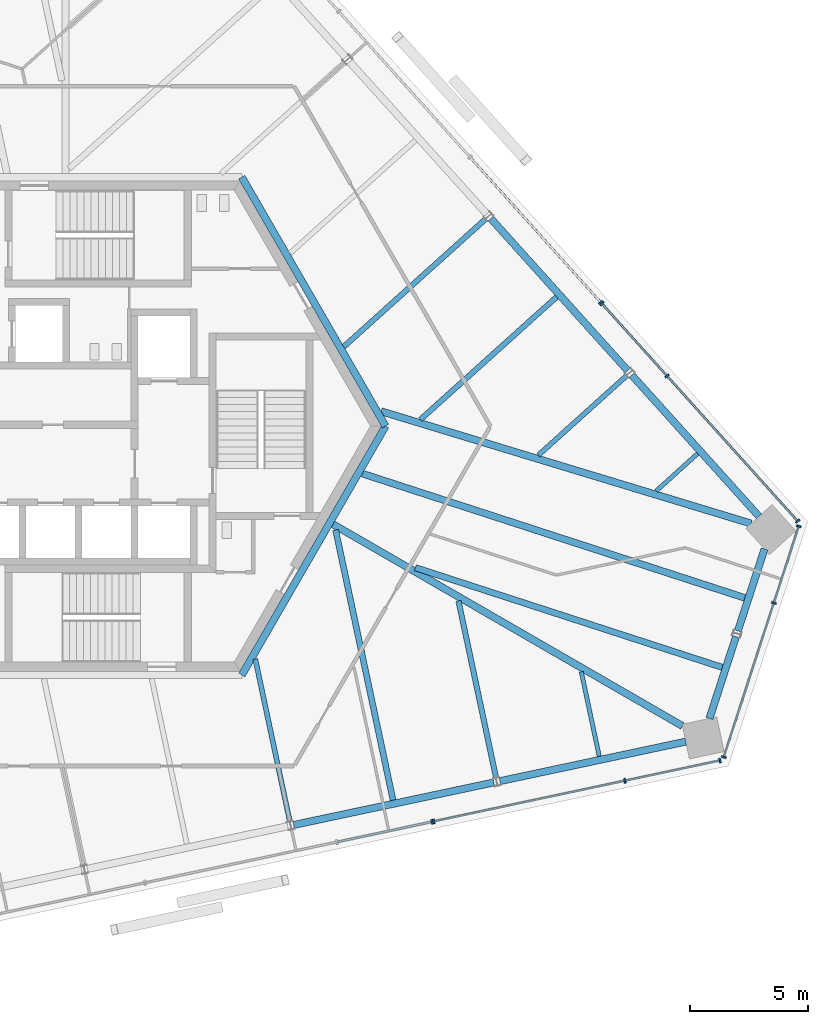
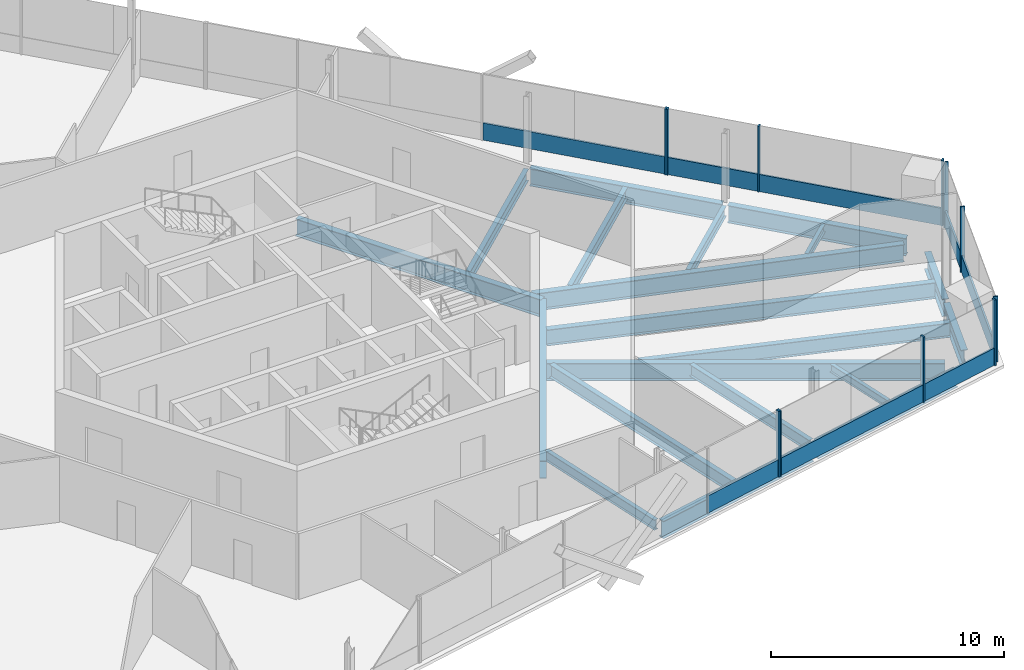
# One storey, part 6 of 15: 20 beams, 19 members, 5 elements without a shape of their own.
"""IFC4 building model written with IfcOpenShell, lengths in metres."""

from ifc_helpers import new_model, si_unit, direction, frame, origin, origin_2d, place, context, subcontext, project, spatial, rectangle, i_section, extrude, source, transform, mapped, material, material_profile, profile_set, type_object, element, aggregate, save


model = new_model("IFC4")

# Units and contexts
model_context = context("Model", 3, precision=1e-05, world=origin(), true_north=direction((0.0, 1.0)))
body_context = subcontext(model_context, "Body", "Model", "MODEL_VIEW")
ifc_project = project(units=[si_unit("LENGTHUNIT", "METRE"), si_unit("AREAUNIT", "SQUARE_METRE"), si_unit("VOLUMEUNIT", "CUBIC_METRE"), si_unit("PLANEANGLEUNIT", "RADIAN"), si_unit("MASSUNIT", "GRAM", prefix="KILO")], contexts=[model_context])

# Site, building, storey
site_placement = place(None, origin())
site = spatial("IfcSite", under=ifc_project, at=site_placement, CompositionType="ELEMENT")
building_placement = place(site_placement, origin())
building = spatial("IfcBuilding", under=site, at=building_placement, Name="Triune Harvest Tower", CompositionType="ELEMENT")
storey_placement = place(building_placement, frame((0.0, 0.0, 277.5)))
storey = spatial("IfcBuildingStorey", under=building, at=storey_placement, Name="L73", CompositionType="ELEMENT", Elevation=277.5)

# Beams
ifc_material_1 = material(Name="Steel ASTM A992 Gr 50", Category="steel")
ifc_material_profile_1 = material_profile(ifc_material_1, i_section(OverallWidth=0.3046875, OverallDepth=0.914306640625, WebThickness=0.0166015625, FlangeThickness=0.02587890625, at=origin_2d()), Name="W36x160")
ifc_profile_set_1 = profile_set([ifc_material_profile_1], Name="Steel ASTM A992 Gr 50")
beam_type_1 = type_object("IfcBeamType", Name="CG-1 Core ring girder W36x160", PredefinedType="BEAM", material=ifc_profile_set_1)
shared_shape_1 = source(origin(), body_context, "Body", "SweptSolid", [
    extrude(i_section(OverallWidth=0.3046875, OverallDepth=0.914306640625, WebThickness=0.0166015625, FlangeThickness=0.02587890625, at=origin_2d()), origin(), (0.0, 0.0, 1.0), 12.176025390625),
])
for number, where, z_axis, x_axis, name in (
    (1, (12.176025390625, 0.0, -0.6171875), (-0.5000099932, 0.866019634131, 0.0), (-0.866019634131, -0.5000099932, 0.0), "beam/L73/CG1"),
    (2, (6.087890625, -10.544677734375, -0.6171875), (0.5000099932, 0.866019634131, 0.0), (-0.866019634131, 0.5000099932, 0.0), "beam/L73/CG6"),
):
    element("IfcBeam", number, at=place(storey_placement, frame(where, z_axis=z_axis, x_axis=x_axis)), inside=storey, type_object=beam_type_1, Name=name, PredefinedType="BEAM", context=body_context, shape_type="MappedRepresentation", body=[
        mapped(shared_shape_1, transform((0.0, 0.0, 0.0), scale=1.0)),
    ])
ifc_material_2 = material(Name="Steel ASTM A992 Gr 50", Category="steel")
ifc_material_profile_2 = material_profile(ifc_material_2, i_section(OverallWidth=0.3046875, OverallDepth=0.914306640625, WebThickness=0.0166015625, FlangeThickness=0.02587890625, at=origin_2d()), Name="W36x160")
ifc_profile_set_2 = profile_set([ifc_material_profile_2], Name="Steel ASTM A992 Gr 50")
beam_type_2 = type_object("IfcBeamType", Name="SB-1 Spandrel beam W36x160", PredefinedType="SPANDREL", material=ifc_profile_set_2)
shared_shape_2 = source(origin(), body_context, "Body", "SweptSolid", [
    extrude(i_section(OverallWidth=0.3046875, OverallDepth=0.914306640625, WebThickness=0.0166015625, FlangeThickness=0.02587890625, at=origin_2d()), origin(), (0.0, 0.0, 1.0), 8.0498046875),
])
beam_1_placement = place(storey_placement, frame((27.991455078125, -3.82177734375, -0.6171875), z_axis=(-0.669137301084, 0.743138797465, 0.0), x_axis=(-0.743138797465, -0.669137301084, 0.0)))
element("IfcBeam", 3, at=beam_1_placement, inside=storey, type_object=beam_type_2, Name="beam/L73/SB1", PredefinedType="SPANDREL", context=body_context, shape_type="MappedRepresentation", body=[
    mapped(shared_shape_2, transform((0.0, 0.0, 0.0), scale=1.0)),
])
shared_shape_3 = source(origin(), body_context, "Body", "SweptSolid", [
    extrude(i_section(OverallWidth=0.3046875, OverallDepth=0.914306640625, WebThickness=0.0166015625, FlangeThickness=0.02587890625, at=origin_2d()), origin(), (0.0, 0.0, 1.0), 8.671630859375),
])
beam_2_placement = place(storey_placement, frame((22.433349609375, 2.350830078125, -0.6171875), z_axis=(-0.669114044563, 0.743159737452, 0.0), x_axis=(-0.743159737452, -0.669114044563, 0.0)))
element("IfcBeam", 4, at=beam_2_placement, inside=storey, type_object=beam_type_2, Name="beam/L73/SB2", PredefinedType="SPANDREL", context=body_context, shape_type="MappedRepresentation", body=[
    mapped(shared_shape_3, transform((0.0, 0.0, 0.0), scale=1.0)),
])
shared_shape_4 = source(origin(), body_context, "Body", "SweptSolid", [
    extrude(i_section(OverallWidth=0.3046875, OverallDepth=0.914306640625, WebThickness=0.0166015625, FlangeThickness=0.02587890625, at=origin_2d()), origin(), (0.0, 0.0, 1.0), 8.67138671875),
])
beam_3_placement = place(storey_placement, frame((8.28515625, -16.890869140625, -0.6171875), z_axis=(0.978145539793, 0.207921386546, 0.0), x_axis=(-0.207921386546, 0.978145539793, 0.0)))
element("IfcBeam", 5, at=beam_3_placement, inside=storey, type_object=beam_type_2, Name="beam/L73/SB18", PredefinedType="SPANDREL", context=body_context, shape_type="MappedRepresentation", body=[
    mapped(shared_shape_4, transform((0.0, 0.0, 0.0), scale=1.0)),
])
shared_shape_5 = source(origin(), body_context, "Body", "SweptSolid", [
    extrude(i_section(OverallWidth=0.3046875, OverallDepth=0.914306640625, WebThickness=0.0166015625, FlangeThickness=0.02587890625, at=origin_2d()), origin(), (0.0, 0.0, 1.0), 3.645751953125),
])
for number, where, z_axis, x_axis, name in (
    (6, (25.89306640625, -12.38134765625, -0.6171875), (0.309046702753, 0.951046862945, 0.0), (-0.951046862945, 0.309046702753, 0.0), "beam/L73/SB20"),
    (7, (27.09912109375, -8.670166015625, -0.6171875), (0.308986131058, 0.951066543841, 0.0), (-0.951066543841, 0.308986131058, 0.0), "beam/L73/SB21"),
):
    element("IfcBeam", number, at=place(storey_placement, frame(where, z_axis=z_axis, x_axis=x_axis)), inside=storey, type_object=beam_type_2, Name=name, PredefinedType="SPANDREL", context=body_context, shape_type="MappedRepresentation", body=[
        mapped(shared_shape_5, transform((0.0, 0.0, 0.0), scale=1.0)),
    ])
shared_shape_6 = source(origin(), body_context, "Body", "SweptSolid", [
    extrude(i_section(OverallWidth=0.3046875, OverallDepth=0.914306640625, WebThickness=0.0166015625, FlangeThickness=0.02587890625, at=origin_2d()), origin(), (0.0, 0.0, 1.0), 8.049560546875),
])
beam_4_placement = place(storey_placement, frame((17.01806640625, -15.034423828125, -0.6171875), z_axis=(0.978148597907, 0.207906999431, 0.0), x_axis=(-0.207906999431, 0.978148597907, 0.0)))
element("IfcBeam", 8, at=beam_4_placement, inside=storey, type_object=beam_type_2, Name="beam/L73/SB19", PredefinedType="SPANDREL", context=body_context, shape_type="MappedRepresentation", body=[
    mapped(shared_shape_6, transform((0.0, 0.0, 0.0), scale=1.0)),
])
ifc_material_3 = material(Name="Steel ASTM A992 Gr 50", Category="steel")
ifc_material_profile_3 = material_profile(ifc_material_3, i_section(OverallWidth=0.3046875, OverallDepth=0.914306640625, WebThickness=0.0166015625, FlangeThickness=0.02587890625, at=origin_2d()), Name="W36x160")
ifc_profile_set_3 = profile_set([ifc_material_profile_3], Name="Steel ASTM A992 Gr 50")
beam_type_3 = type_object("IfcBeamType", Name="HG-3 Hip girder W36x160", PredefinedType="BEAM", material=ifc_profile_set_3)
shared_shape_7 = source(origin(), body_context, "Body", "SweptSolid", [
    extrude(i_section(OverallWidth=0.3046875, OverallDepth=0.914306640625, WebThickness=0.0166015625, FlangeThickness=0.02587890625, at=origin_2d()), origin(), (0.0, 0.0, 1.0), 16.370361328125),
])
beam_5_placement = place(storey_placement, frame((27.65478515625, -4.124755859375, -0.6171875), z_axis=(-0.956924757428, 0.29033602708, 0.0), x_axis=(-0.29033602708, -0.956924757428, 0.0)))
element("IfcBeam", 9, at=beam_5_placement, inside=storey, type_object=beam_type_3, Name="beam/L73/HG1", PredefinedType="BEAM", context=body_context, shape_type="MappedRepresentation", body=[
    mapped(shared_shape_7, transform((0.0, 0.0, 0.0), scale=1.0)),
])
shared_shape_8 = source(origin(), body_context, "Body", "SweptSolid", [
    extrude(i_section(OverallWidth=0.3046875, OverallDepth=0.914306640625, WebThickness=0.0166015625, FlangeThickness=0.02587890625, at=origin_2d()), origin(), (0.0, 0.0, 1.0), 17.088623046875),
])
beam_6_placement = place(storey_placement, frame((24.75146484375, -12.700439453125, -0.6171875), z_axis=(-0.866020709961, 0.500008129852, 0.0), x_axis=(-0.500008129852, -0.866020709961, 0.0)))
element("IfcBeam", 10, at=beam_6_placement, inside=storey, type_object=beam_type_3, Name="beam/L73/HG8", PredefinedType="BEAM", context=body_context, shape_type="MappedRepresentation", body=[
    mapped(shared_shape_8, transform((0.0, 0.0, 0.0), scale=1.0)),
])
ifc_material_4 = material(Name="Steel ASTM A992 Gr 50", Category="steel")
ifc_material_profile_4 = material_profile(ifc_material_4, i_section(OverallWidth=0.180908203125, OverallDepth=0.41650390625, WebThickness=0.010986328125, FlangeThickness=0.01806640625, at=origin_2d()), Name="W16x57")
ifc_profile_set_4 = profile_set([ifc_material_profile_4], Name="Steel ASTM A992 Gr 50")
beam_type_4 = type_object("IfcBeamType", Name="JT-1 Floor joist W16x57", PredefinedType="JOIST", material=ifc_profile_set_4)
shared_shape_9 = source(origin(), body_context, "Body", "SweptSolid", [
    extrude(i_section(OverallWidth=0.180908203125, OverallDepth=0.41650390625, WebThickness=0.010986328125, FlangeThickness=0.01806640625, at=origin_2d()), origin(), (0.0, 0.0, 1.0), 2.364990234375),
])
beam_7_placement = place(storey_placement, frame((25.39306640625, -1.163818359375, -0.368408203125), z_axis=(-0.743196605909, -0.669073093888, 0.0), x_axis=(0.669073093888, -0.743196605909, 0.0)))
element("IfcBeam", 11, at=beam_7_placement, inside=storey, type_object=beam_type_4, Name="beam/L73/JT1", PredefinedType="JOIST", context=body_context, shape_type="MappedRepresentation", body=[
    mapped(shared_shape_9, transform((0.0, 0.0, 0.0), scale=1.0)),
])
ifc_material_5 = material(Name="Steel ASTM A992 Gr 50", Category="steel")
ifc_material_profile_5 = material_profile(ifc_material_5, i_section(OverallWidth=0.2099609375, OverallDepth=0.535888671875, WebThickness=0.010986328125, FlangeThickness=0.017333984375, at=origin_2d()), Name="W21x68")
ifc_profile_set_5 = profile_set([ifc_material_profile_5], Name="Steel ASTM A992 Gr 50")
beam_type_5 = type_object("IfcBeamType", Name="JT-2 Floor joist W21x68", PredefinedType="JOIST", material=ifc_profile_set_5)
shared_shape_10 = source(origin(), body_context, "Body", "SweptSolid", [
    extrude(i_section(OverallWidth=0.2099609375, OverallDepth=0.535888671875, WebThickness=0.010986328125, FlangeThickness=0.017333984375, at=origin_2d()), origin(), (0.0, 0.0, 1.0), 5.031982421875),
])
beam_8_placement = place(storey_placement, frame((22.38525390625, 2.135009765625, -0.427978515625), z_axis=(-0.743132491089, -0.669144304831, 0.0), x_axis=(0.669144304831, -0.743132491089, 0.0)))
element("IfcBeam", 12, at=beam_8_placement, inside=storey, type_object=beam_type_5, Name="beam/L73/JT2", PredefinedType="JOIST", context=body_context, shape_type="MappedRepresentation", body=[
    mapped(shared_shape_10, transform((0.0, 0.0, 0.0), scale=1.0)),
])
ifc_material_6 = material(Name="Steel ASTM A992 Gr 50", Category="steel")
ifc_material_profile_6 = material_profile(ifc_material_6, i_section(OverallWidth=0.22900390625, OverallDepth=0.612060546875, WebThickness=0.011962890625, FlangeThickness=0.01953125, at=origin_2d()), Name="W24x84")
ifc_profile_set_6 = profile_set([ifc_material_profile_6], Name="Steel ASTM A992 Gr 50")
beam_type_6 = type_object("IfcBeamType", Name="JT-3 Floor joist W24x84", PredefinedType="JOIST", material=ifc_profile_set_6)
shared_shape_11 = source(origin(), body_context, "Body", "SweptSolid", [
    extrude(i_section(OverallWidth=0.22900390625, OverallDepth=0.612060546875, WebThickness=0.011962890625, FlangeThickness=0.01953125, at=origin_2d()), origin(), (0.0, 0.0, 1.0), 7.755126953125),
])
beam_9_placement = place(storey_placement, frame((19.4189453125, 5.470947265625, -0.466064453125), z_axis=(-0.743143852868, -0.66913168655, 0.0), x_axis=(0.66913168655, -0.743143852868, 0.0)))
element("IfcBeam", 13, at=beam_9_placement, inside=storey, type_object=beam_type_6, Name="beam/L73/JT3", PredefinedType="JOIST", context=body_context, shape_type="MappedRepresentation", body=[
    mapped(shared_shape_11, transform((0.0, 0.0, 0.0), scale=1.0)),
])
shared_shape_12 = source(origin(), body_context, "Body", "SweptSolid", [
    extrude(i_section(OverallWidth=0.22900390625, OverallDepth=0.612060546875, WebThickness=0.011962890625, FlangeThickness=0.01953125, at=origin_2d()), origin(), (0.0, 0.0, 1.0), 8.076904296875),
])
beam_10_placement = place(storey_placement, frame((16.4111328125, 8.769775390625, -0.466064453125), z_axis=(-0.743136309392, -0.669140064308, 0.0), x_axis=(0.669140064308, -0.743136309392, 0.0)))
element("IfcBeam", 14, at=beam_10_placement, inside=storey, type_object=beam_type_6, Name="beam/L73/JT4", PredefinedType="JOIST", context=body_context, shape_type="MappedRepresentation", body=[
    mapped(shared_shape_12, transform((0.0, 0.0, 0.0), scale=1.0)),
])
shared_shape_13 = source(origin(), body_context, "Body", "SweptSolid", [
    extrude(i_section(OverallWidth=0.2099609375, OverallDepth=0.535888671875, WebThickness=0.010986328125, FlangeThickness=0.017333984375, at=origin_2d()), origin(), (0.0, 0.0, 1.0), 7.035400390625),
])
beam_11_placement = place(storey_placement, frame((8.122314453125, -16.7412109375, -0.427978515625), z_axis=(-0.207933876112, 0.978142884841, 0.0), x_axis=(-0.978142884841, -0.207933876112, 0.0)))
element("IfcBeam", 15, at=beam_11_placement, inside=storey, type_object=beam_type_5, Name="beam/L73/JT28", PredefinedType="JOIST", context=body_context, shape_type="MappedRepresentation", body=[
    mapped(shared_shape_13, transform((0.0, 0.0, 0.0), scale=1.0)),
])
ifc_material_7 = material(Name="Steel ASTM A992 Gr 50", Category="steel")
ifc_material_profile_7 = material_profile(ifc_material_7, i_section(OverallWidth=0.253662109375, OverallDepth=0.683349609375, WebThickness=0.012451171875, FlangeThickness=0.01904296875, at=origin_2d()), Name="W27x94")
ifc_profile_set_7 = profile_set([ifc_material_profile_7], Name="Steel ASTM A992 Gr 50")
beam_type_7 = type_object("IfcBeamType", Name="JT-4 Floor joist W27x94", PredefinedType="JOIST", material=ifc_profile_set_7)
shared_shape_14 = source(origin(), body_context, "Body", "SweptSolid", [
    extrude(i_section(OverallWidth=0.253662109375, OverallDepth=0.683349609375, WebThickness=0.012451171875, FlangeThickness=0.01904296875, at=origin_2d()), origin(), (0.0, 0.0, 1.0), 11.70068359375),
])
beam_12_placement = place(storey_placement, frame((12.494384765625, -15.84033203125, -0.501708984375), z_axis=(-0.207902925765, 0.978149463762, 0.0), x_axis=(-0.978149463762, -0.207902925765, 0.0)))
element("IfcBeam", 16, at=beam_12_placement, inside=storey, type_object=beam_type_7, Name="beam/L73/JT29", PredefinedType="JOIST", context=body_context, shape_type="MappedRepresentation", body=[
    mapped(shared_shape_14, transform((0.0, 0.0, 0.0), scale=1.0)),
])
shared_shape_15 = source(origin(), body_context, "Body", "SweptSolid", [
    extrude(i_section(OverallWidth=0.22900390625, OverallDepth=0.612060546875, WebThickness=0.011962890625, FlangeThickness=0.01953125, at=origin_2d()), origin(), (0.0, 0.0, 1.0), 7.6533203125),
])
beam_13_placement = place(storey_placement, frame((16.85498046875, -14.884765625, -0.466064453125), z_axis=(-0.207892711211, 0.978151634781, 0.0), x_axis=(-0.978151634781, -0.207892711211, 0.0)))
element("IfcBeam", 17, at=beam_13_placement, inside=storey, type_object=beam_type_6, Name="beam/L73/JT30", PredefinedType="JOIST", context=body_context, shape_type="MappedRepresentation", body=[
    mapped(shared_shape_15, transform((0.0, 0.0, 0.0), scale=1.0)),
])
shared_shape_16 = source(origin(), body_context, "Body", "SweptSolid", [
    extrude(i_section(OverallWidth=0.180908203125, OverallDepth=0.41650390625, WebThickness=0.010986328125, FlangeThickness=0.01806640625, at=origin_2d()), origin(), (0.0, 0.0, 1.0), 3.661865234375),
])
beam_14_placement = place(storey_placement, frame((21.227294921875, -13.98388671875, -0.368408203125), z_axis=(-0.20788506993, 0.9781532588, 0.0), x_axis=(-0.9781532588, -0.20788506993, 0.0)))
element("IfcBeam", 18, at=beam_14_placement, inside=storey, type_object=beam_type_4, Name="beam/L73/JT31", PredefinedType="JOIST", context=body_context, shape_type="MappedRepresentation", body=[
    mapped(shared_shape_16, transform((0.0, 0.0, 0.0), scale=1.0)),
])
ifc_material_8 = material(Name="Steel ASTM A992 Gr 50", Category="steel")
ifc_material_profile_8 = material_profile(ifc_material_8, i_section(OverallWidth=0.2666015625, OverallDepth=0.7568359375, WebThickness=0.013916015625, FlangeThickness=0.019287109375, at=origin_2d()), Name="W30x108")
ifc_profile_set_8 = profile_set([ifc_material_profile_8], Name="Steel ASTM A992 Gr 50")
beam_type_8 = type_object("IfcBeamType", Name="JT-5 Floor joist W30x108", PredefinedType="JOIST", material=ifc_profile_set_8)
shared_shape_17 = source(origin(), body_context, "Body", "SweptSolid", [
    extrude(i_section(OverallWidth=0.2666015625, OverallDepth=0.7568359375, WebThickness=0.013916015625, FlangeThickness=0.019287109375, at=origin_2d()), origin(), (0.0, 0.0, 1.0), 13.667724609375),
])
beam_15_placement = place(storey_placement, frame((26.4365234375, -10.216064453125, -0.53857421875), z_axis=(-0.951054938162, 0.309021851327, 0.0), x_axis=(-0.309021851327, -0.951054938162, 0.0)))
element("IfcBeam", 19, at=beam_15_placement, inside=storey, type_object=beam_type_8, Name="beam/L73/JT32", PredefinedType="JOIST", context=body_context, shape_type="MappedRepresentation", body=[
    mapped(shared_shape_17, transform((0.0, 0.0, 0.0), scale=1.0)),
])
ifc_material_9 = material(Name="Steel ASTM A992 Gr 50", Category="steel")
ifc_material_profile_9 = material_profile(ifc_material_9, i_section(OverallWidth=0.2919921875, OverallDepth=0.8408203125, WebThickness=0.0146484375, FlangeThickness=0.021728515625, at=origin_2d()), Name="W33x130")
ifc_profile_set_9 = profile_set([ifc_material_profile_9], Name="Steel ASTM A992 Gr 50")
beam_type_9 = type_object("IfcBeamType", Name="JT-6 Floor joist W33x130", PredefinedType="JOIST", material=ifc_profile_set_9)
shared_shape_18 = source(origin(), body_context, "Body", "SweptSolid", [
    extrude(i_section(OverallWidth=0.2919921875, OverallDepth=0.8408203125, WebThickness=0.0146484375, FlangeThickness=0.021728515625, at=origin_2d()), origin(), (0.0, 0.0, 1.0), 17.03466796875),
])
beam_16_placement = place(storey_placement, frame((27.392333984375, -7.27392578125, -0.580322265625), z_axis=(-0.951057974177, 0.30901250744, 0.0), x_axis=(-0.30901250744, -0.951057974177, 0.0)))
element("IfcBeam", 20, at=beam_16_placement, inside=storey, type_object=beam_type_9, Name="beam/L73/JT33", PredefinedType="JOIST", context=body_context, shape_type="MappedRepresentation", body=[
    mapped(shared_shape_18, transform((0.0, 0.0, 0.0), scale=1.0)),
])

# Curtain wall, members
ifc_material_10 = material(Name="Aluminium bronze anodised", Category="aluminium")
curtain_wall_type_1 = type_object("IfcCurtainWallType", Name="CW-1 Tower stick curtain wall", PredefinedType="NOTDEFINED", material=ifc_material_10)
curtain_wall_1_placement = place(storey_placement, origin())
curtain_wall_1 = element("IfcCurtainWall", 21, at=curtain_wall_1_placement, inside=storey, type_object=curtain_wall_type_1, Name="CW-1 B7-F1 L73 run 1")
ifc_material_11 = material(Name="Aluminium bronze anodised", Category="aluminium")
ifc_material_profile_10 = material_profile(ifc_material_11, rectangle(XDim=0.199951171875, YDim=0.074951171875, at=origin_2d()), Name="MU-1 mullion 75 x 200")
ifc_profile_set_10 = profile_set([ifc_material_profile_10], Name="Aluminium bronze anodised")
member_type_1 = type_object("IfcMemberType", Name="MU-1 mullion 75 x 200", PredefinedType="MULLION", material=ifc_profile_set_10)
shared_shape_19 = source(origin(), body_context, "Body", "SweptSolid", [
    extrude(rectangle(XDim=0.199951171875, YDim=0.074951171875, at=origin_2d()), origin(), (0.0, 0.0, 1.0), 3.43994140625),
])
member_1_placement = place(storey_placement, frame((29.634033203125, -4.023681640625, 0.0), z_axis=(0.0, 0.0, 1.0), x_axis=(-0.743144053222, -0.669131464034, 0.0)))
member_1 = element("IfcMember", 22, at=member_1_placement, type_object=member_type_1, Name="CW-1 mullion B7-F1 1.1", PredefinedType="MULLION", context=body_context, shape_type="MappedRepresentation", body=[
    mapped(shared_shape_19, transform((0.0, 0.0, 0.0), scale=1.0)),
])
member_2_placement = place(storey_placement, frame((24.09765625, 2.125, 0.0), z_axis=(0.0, 0.0, 1.0), x_axis=(-0.743144053222, -0.669131464034, 0.0)))
member_2 = element("IfcMember", 23, at=member_2_placement, type_object=member_type_1, Name="CW-1 mullion B7-F1 1.3", PredefinedType="MULLION", context=body_context, shape_type="MappedRepresentation", body=[
    mapped(shared_shape_19, transform((0.0, 0.0, 0.0), scale=1.0)),
])
member_3_placement = place(storey_placement, frame((21.342041015625, 5.185546875, 0.0), z_axis=(0.0, 0.0, 1.0), x_axis=(-0.743144053222, -0.669131464034, 0.0)))
member_3 = element("IfcMember", 24, at=member_3_placement, type_object=member_type_1, Name="CW-1 mullion B7-F1 1.4", PredefinedType="MULLION", context=body_context, shape_type="MappedRepresentation", body=[
    mapped(shared_shape_19, transform((0.0, 0.0, 0.0), scale=1.0)),
])

# Curtain wall, member
ifc_material_12 = material(Name="Aluminium bronze anodised", Category="aluminium")
curtain_wall_type_2 = type_object("IfcCurtainWallType", Name="CW-7 Tower stick curtain wall with insulated spandrel infill", PredefinedType="NOTDEFINED", material=ifc_material_12)
curtain_wall_2_placement = place(storey_placement, origin())
curtain_wall_2 = element("IfcCurtainWall", 25, at=curtain_wall_2_placement, inside=storey, type_object=curtain_wall_type_2, Name="CW-7 B7-F1 L73 run 1001")
member_4_placement = place(storey_placement, frame((21.291748046875, 5.2412109375, 0.0), z_axis=(0.0, 0.0, 1.0), x_axis=(-0.74314408674, -0.669131426809, 0.0)))
member_4 = element("IfcMember", 26, at=member_4_placement, type_object=member_type_1, Name="CW-7 mullion B7-F1 1001.1", PredefinedType="MULLION", context=body_context, shape_type="MappedRepresentation", body=[
    mapped(shared_shape_19, transform((0.0, 0.0, 0.0), scale=1.0)),
])

curtain_wall_3_placement = place(storey_placement, origin())
curtain_wall_3 = element("IfcCurtainWall", 27, at=curtain_wall_3_placement, inside=storey, type_object=curtain_wall_type_2, Name="CW-7 B7-F5 L73 run 1001")
member_5_placement = place(storey_placement, frame((14.14453125, -16.755126953125, 0.0), z_axis=(0.0, 0.0, 1.0), x_axis=(-0.207913090389, 0.978147303245, 0.0)))
member_5 = element("IfcMember", 28, at=member_5_placement, type_object=member_type_1, Name="CW-7 mullion B7-F5 1001.6", PredefinedType="MULLION", context=body_context, shape_type="MappedRepresentation", body=[
    mapped(shared_shape_19, transform((0.0, 0.0, 0.0), scale=1.0)),
])

# Curtain wall, members
curtain_wall_4_placement = place(storey_placement, origin())
curtain_wall_4 = element("IfcCurtainWall", 29, at=curtain_wall_4_placement, inside=storey, type_object=curtain_wall_type_1, Name="CW-1 B7-F5 L73 run 2001")
member_6_placement = place(storey_placement, frame((14.218017578125, -16.739501953125, 0.0), z_axis=(0.0, 0.0, 1.0), x_axis=(-0.207909221248, 0.978148125654, 0.0)))
member_6 = element("IfcMember", 30, at=member_6_placement, type_object=member_type_1, Name="CW-1 mullion B7-F5 2001.1", PredefinedType="MULLION", context=body_context, shape_type="MappedRepresentation", body=[
    mapped(shared_shape_19, transform((0.0, 0.0, 0.0), scale=1.0)),
])
member_7_placement = place(storey_placement, frame((22.311279296875, -15.019287109375, 0.0), z_axis=(0.0, 0.0, 1.0), x_axis=(-0.207909221248, 0.978148125654, 0.0)))
member_7 = element("IfcMember", 31, at=member_7_placement, type_object=member_type_1, Name="CW-1 mullion B7-F5 2001.3", PredefinedType="MULLION", context=body_context, shape_type="MappedRepresentation", body=[
    mapped(shared_shape_19, transform((0.0, 0.0, 0.0), scale=1.0)),
])
member_8_placement = place(storey_placement, frame((26.339599609375, -14.1630859375, 0.0), z_axis=(0.0, 0.0, 1.0), x_axis=(-0.207909221248, 0.978148125654, 0.0)))
member_8 = element("IfcMember", 32, at=member_8_placement, type_object=member_type_1, Name="CW-1 mullion B7-F5 2001.4", PredefinedType="MULLION", context=body_context, shape_type="MappedRepresentation", body=[
    mapped(shared_shape_19, transform((0.0, 0.0, 0.0), scale=1.0)),
])

curtain_wall_5_placement = place(storey_placement, origin())
curtain_wall_5 = element("IfcCurtainWall", 33, at=curtain_wall_5_placement, inside=storey, type_object=curtain_wall_type_1, Name="CW-1 B7-F6 L73 run 1")
member_9_placement = place(storey_placement, frame((26.503662109375, -14.015380859375, 0.0), z_axis=(0.0, 0.0, 1.0), x_axis=(-0.951055902733, 0.309018882717, 0.0)))
member_9 = element("IfcMember", 34, at=member_9_placement, type_object=member_type_1, Name="CW-1 mullion B7-F6 1.1", PredefinedType="MULLION", context=body_context, shape_type="MappedRepresentation", body=[
    mapped(shared_shape_19, transform((0.0, 0.0, 0.0), scale=1.0)),
])
member_10_placement = place(storey_placement, frame((28.625, -7.486328125, 0.0), z_axis=(0.0, 0.0, 1.0), x_axis=(-0.951055902733, 0.309018882717, 0.0)))
member_10 = element("IfcMember", 35, at=member_10_placement, type_object=member_type_1, Name="CW-1 mullion B7-F6 1.3", PredefinedType="MULLION", context=body_context, shape_type="MappedRepresentation", body=[
    mapped(shared_shape_19, transform((0.0, 0.0, 0.0), scale=1.0)),
])
member_11_placement = place(storey_placement, frame((29.679931640625, -4.23974609375, 0.0), z_axis=(0.0, 0.0, 1.0), x_axis=(-0.951055902733, 0.309018882717, 0.0)))
member_11 = element("IfcMember", 36, at=member_11_placement, type_object=member_type_1, Name="CW-1 mullion B7-F6 1.4", PredefinedType="MULLION", context=body_context, shape_type="MappedRepresentation", body=[
    mapped(shared_shape_19, transform((0.0, 0.0, 0.0), scale=1.0)),
])
ifc_material_13 = material(Name="Aluminium bronze anodised", Category="aluminium")
ifc_material_profile_11 = material_profile(ifc_material_13, rectangle(XDim=0.090087890625, YDim=0.89990234375, at=origin_2d()), Name="TR-1 transom 90 x 900")
ifc_profile_set_11 = profile_set([ifc_material_profile_11], Name="Aluminium bronze anodised")
member_type_2 = type_object("IfcMemberType", Name="TR-1 transom 90 x 900", PredefinedType="USERDEFINED", material=ifc_profile_set_11)
shared_shape_20 = source(origin(), body_context, "Body", "SweptSolid", [
    extrude(rectangle(XDim=0.090087890625, YDim=0.89990234375, at=origin_2d()), origin(), (0.0, 0.0, 1.0), 6.7900390625),
])
member_12_placement = place(storey_placement, frame((26.515380859375, -13.979736328125, 0.449951171875), z_axis=(0.309002330593, 0.951061280722, 0.0), x_axis=(-0.951061280722, 0.309002330593, 0.0)))
member_12 = element("IfcMember", 37, at=member_12_placement, type_object=member_type_2, Name="CW-1 transom B7-F6 1.1", ObjectType="TRANSOM", PredefinedType="USERDEFINED", context=body_context, shape_type="MappedRepresentation", body=[
    mapped(shared_shape_20, transform((0.0, 0.0, 0.0), scale=1.0)),
])
shared_shape_21 = source(origin(), body_context, "Body", "SweptSolid", [
    extrude(rectangle(XDim=0.090087890625, YDim=0.89990234375, at=origin_2d()), origin(), (0.0, 0.0, 1.0), 3.338623046875),
])
member_13_placement = place(storey_placement, frame((28.63671875, -7.45068359375, 0.449951171875), z_axis=(0.309023240166, 0.951054486892, 0.0), x_axis=(-0.951054486892, 0.309023240166, 0.0)))
member_13 = element("IfcMember", 38, at=member_13_placement, type_object=member_type_2, Name="CW-1 transom B7-F6 1.2", ObjectType="TRANSOM", PredefinedType="USERDEFINED", context=body_context, shape_type="MappedRepresentation", body=[
    mapped(shared_shape_21, transform((0.0, 0.0, 0.0), scale=1.0)),
])
aggregate(curtain_wall_5, [member_9, member_10, member_11, member_12, member_13])

# Member
shared_shape_22 = source(origin(), body_context, "Body", "SweptSolid", [
    extrude(rectangle(XDim=0.090087890625, YDim=0.89990234375, at=origin_2d()), origin(), (0.0, 0.0, 1.0), 8.198974609375),
])
member_14_placement = place(storey_placement, frame((29.60888671875, -3.995849609375, 0.449951171875), z_axis=(-0.669124295874, 0.743150507415, 0.0), x_axis=(-0.743150507415, -0.669124295874, 0.0)))
member_14 = element("IfcMember", 39, at=member_14_placement, type_object=member_type_2, Name="CW-1 transom B7-F1 1.1", ObjectType="TRANSOM", PredefinedType="USERDEFINED", context=body_context, shape_type="MappedRepresentation", body=[
    mapped(shared_shape_22, transform((0.0, 0.0, 0.0), scale=1.0)),
])

member_15_placement = place(storey_placement, frame((21.2666015625, 5.26904296875, 0.449951171875), z_axis=(-0.669109489038, 0.743163839055, 0.0), x_axis=(-0.743163839055, -0.669109489038, 0.0)))
member_15 = element("IfcMember", 40, at=member_15_placement, type_object=member_type_2, Name="CW-7 transom B7-F1 1001.1", ObjectType="TRANSOM", PredefinedType="USERDEFINED", context=body_context, shape_type="MappedRepresentation", body=[
    mapped(shared_shape_22, transform((0.0, 0.0, 0.0), scale=1.0)),
])

aggregate(curtain_wall_2, [member_4, member_15])

shared_shape_23 = source(origin(), body_context, "Body", "SweptSolid", [
    extrude(rectangle(XDim=0.090087890625, YDim=0.89990234375, at=origin_2d()), origin(), (0.0, 0.0, 1.0), 4.043212890625),
])
member_16_placement = place(storey_placement, frame((24.072509765625, 2.15283203125, 0.449951171875), z_axis=(-0.669091490458, 0.743180043729, 0.0), x_axis=(-0.743180043729, -0.669091490458, 0.0)))
member_16 = element("IfcMember", 41, at=member_16_placement, type_object=member_type_2, Name="CW-1 transom B7-F1 1.2", ObjectType="TRANSOM", PredefinedType="USERDEFINED", context=body_context, shape_type="MappedRepresentation", body=[
    mapped(shared_shape_23, transform((0.0, 0.0, 0.0), scale=1.0)),
])

aggregate(curtain_wall_1, [member_1, member_2, member_3, member_14, member_16])

member_17_placement = place(storey_placement, frame((10.153076171875, -17.603759765625, 0.449951171875), z_axis=(0.978137821682, 0.207957692319, 0.0), x_axis=(-0.207957692319, 0.978137821682, 0.0)))
member_17 = element("IfcMember", 42, at=member_17_placement, type_object=member_type_2, Name="CW-7 transom B7-F5 1001.3", ObjectType="TRANSOM", PredefinedType="USERDEFINED", context=body_context, shape_type="MappedRepresentation", body=[
    mapped(shared_shape_23, transform((0.0, 0.0, 0.0), scale=1.0)),
])

aggregate(curtain_wall_3, [member_5, member_17])

shared_shape_24 = source(origin(), body_context, "Body", "SweptSolid", [
    extrude(rectangle(XDim=0.090087890625, YDim=0.89990234375, at=origin_2d()), origin(), (0.0, 0.0, 1.0), 8.19921875),
])
member_18_placement = place(storey_placement, frame((14.254638671875, -16.731689453125, 0.449951171875), z_axis=(0.978150525776, 0.207897929101, 0.0), x_axis=(-0.207897929101, 0.978150525776, 0.0)))
member_18 = element("IfcMember", 43, at=member_18_placement, type_object=member_type_2, Name="CW-1 transom B7-F5 2001.1", ObjectType="TRANSOM", PredefinedType="USERDEFINED", context=body_context, shape_type="MappedRepresentation", body=[
    mapped(shared_shape_24, transform((0.0, 0.0, 0.0), scale=1.0)),
])

shared_shape_25 = source(origin(), body_context, "Body", "SweptSolid", [
    extrude(rectangle(XDim=0.090087890625, YDim=0.89990234375, at=origin_2d()), origin(), (0.0, 0.0, 1.0), 4.04345703125),
])
member_19_placement = place(storey_placement, frame((22.347900390625, -15.011474609375, 0.449951171875), z_axis=(0.978152712315, 0.207887641265, 0.0), x_axis=(-0.207887641265, 0.978152712315, 0.0)))
member_19 = element("IfcMember", 44, at=member_19_placement, type_object=member_type_2, Name="CW-1 transom B7-F5 2001.2", ObjectType="TRANSOM", PredefinedType="USERDEFINED", context=body_context, shape_type="MappedRepresentation", body=[
    mapped(shared_shape_25, transform((0.0, 0.0, 0.0), scale=1.0)),
])

aggregate(curtain_wall_4, [member_6, member_7, member_8, member_18, member_19])

save(model, "model.ifc")
